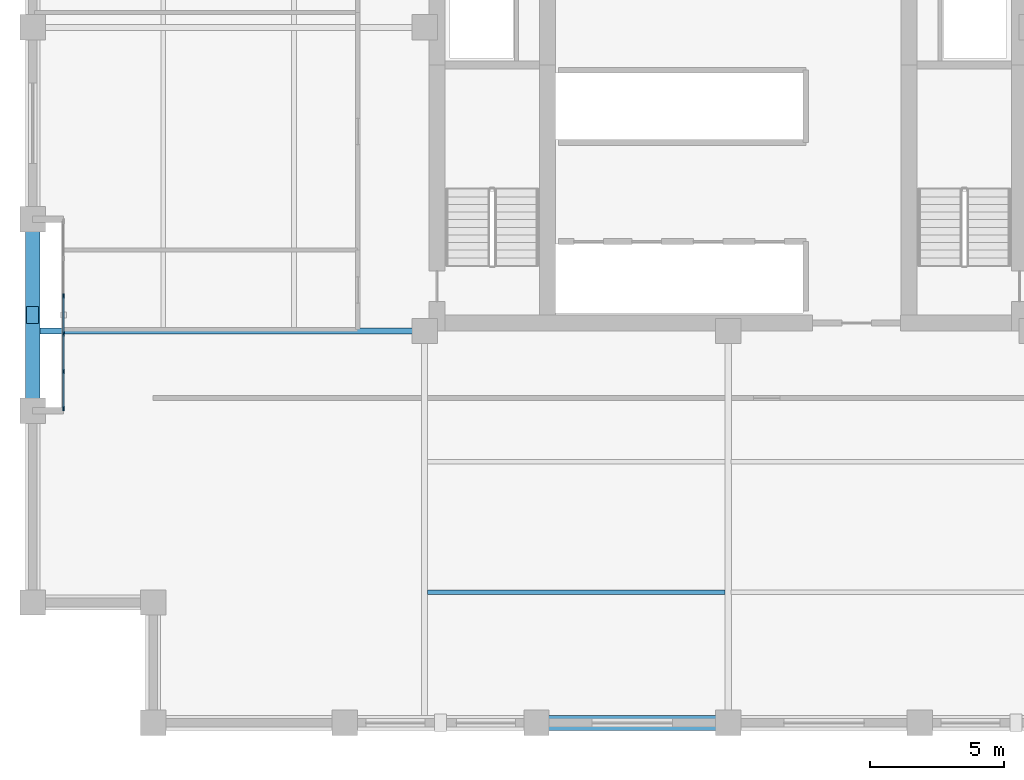
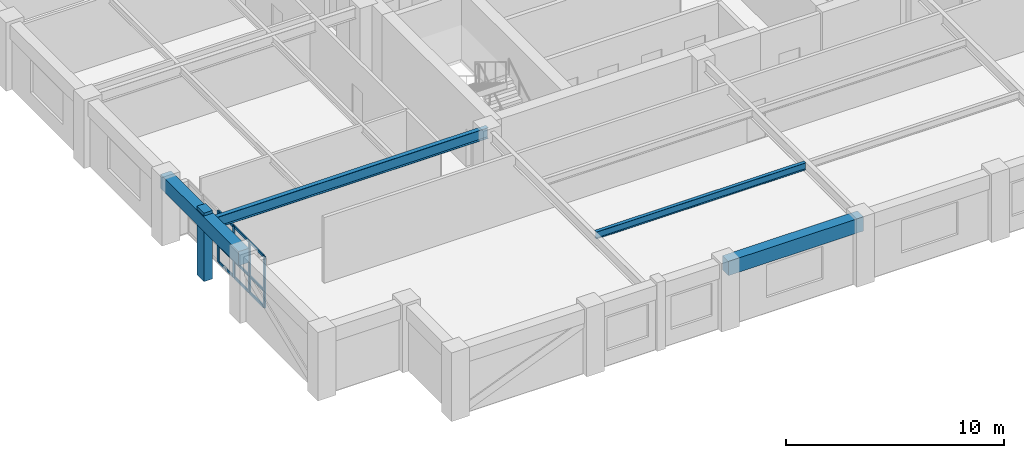
# One storey, part 2 of 11: 14 members, 4 beams, 1 element without a shape of its own.
"""IFC4 building model written with IfcOpenShell, lengths in metres."""

from ifc_helpers import new_model, si_unit, direction, frame, origin, origin_2d, place, context, subcontext, project, spatial, rectangle, i_section, extrude, material, layer, layer_set, material_profile, profile_set, type_object, element, aggregate, save


model = new_model("IFC4")

# Units and contexts
model_context = context("Model", 3, precision=1e-05, world=origin(), true_north=direction((0.0, 1.0)))
body_context = subcontext(model_context, "Body", "Model", "MODEL_VIEW")
ifc_project = project(units=[si_unit("LENGTHUNIT", "METRE"), si_unit("AREAUNIT", "SQUARE_METRE"), si_unit("VOLUMEUNIT", "CUBIC_METRE"), si_unit("PLANEANGLEUNIT", "RADIAN"), si_unit("MASSUNIT", "GRAM", prefix="KILO")], contexts=[model_context])

# Site, building, storey
site_placement = place(None, origin())
site = spatial("IfcSite", under=ifc_project, at=site_placement, CompositionType="ELEMENT")
building_placement = place(site_placement, origin())
building = spatial("IfcBuilding", under=site, at=building_placement, Name="Nhamokura Convention Tower", CompositionType="ELEMENT")
storey_placement = place(building_placement, frame((0.0, 0.0, 168.35009765625)))
storey = spatial("IfcBuildingStorey", under=building, at=storey_placement, Name="L41", CompositionType="ELEMENT", Elevation=168.35009765625)

# Member
ifc_material_1 = material(Name="Bronze-pigmented precast concrete C45/55", Category="concrete")
ifc_material_profile_1 = material_profile(ifc_material_1, rectangle(XDim=0.449951171875, YDim=0.64990234375, at=origin_2d()))
ifc_profile_set_1 = profile_set([ifc_material_profile_1], Name="Bronze-pigmented precast concrete C45/55")
member_type_1 = type_object("IfcMemberType", Name="BronzePilaster_650", PredefinedType="USERDEFINED", material=ifc_profile_set_1)
member_1_placement = place(storey_placement, frame((6.0, 21.25, 0.0), z_axis=(0.0, 0.0, 1.0), x_axis=(1.0, 0.0, 0.0)))
element("IfcMember", 1, at=member_1_placement, inside=storey, type_object=member_type_1, Name="L41 Engaged Frame Pilaster WEST 1", ObjectType="PILASTER_TRIM", PredefinedType="USERDEFINED", context=body_context, shape_type="SweptSolid", body=[
    extrude(rectangle(XDim=0.449951171875, YDim=0.64990234375, at=origin_2d()), origin(), (0.0, 0.0, 1.0), 3.849853515625),
])

# Curtain wall, members
ifc_material_2 = material(Name="Anodised bronze aluminium AA6063-T6", Category="aluminium")
ifc_layer = layer(ifc_material_2, 0.159912109375)
ifc_layer_set = layer_set([ifc_layer], Name="CWSystem_ScaleSlot_Zone2")
curtain_wall_type = type_object("IfcCurtainWallType", Name="CWSystem_ScaleSlot_Zone2", PredefinedType="NOTDEFINED", material=ifc_layer_set)
curtain_wall_placement = place(storey_placement, origin())
curtain_wall = element("IfcCurtainWall", 2, at=curtain_wall_placement, inside=storey, type_object=curtain_wall_type, Name="L41 Curtain Wall ENV-L41-SLOT-W1", PredefinedType="NOTDEFINED")
ifc_material_3 = material(Name="Anodised bronze aluminium AA6063-T6", Category="aluminium")
ifc_material_profile_2 = material_profile(ifc_material_3, rectangle(XDim=0.06494140625, YDim=0.1650390625, at=origin_2d()))
ifc_profile_set_2 = profile_set([ifc_material_profile_2], Name="Anodised bronze aluminium AA6063-T6")
member_type_2 = type_object("IfcMemberType", Name="CWMullion_3", PredefinedType="MULLION", material=ifc_profile_set_2)
member_2_placement = place(storey_placement, frame((7.14990234375, 17.75927734375, 0.0), z_axis=(0.0, 0.0, 1.0), x_axis=(-1.0, 0.0, 0.0)))
member_2 = element("IfcMember", 3, at=member_2_placement, type_object=member_type_2, Name="CW-04 mullion 1", PredefinedType="MULLION", context=body_context, shape_type="SweptSolid", body=[
    extrude(rectangle(XDim=0.06494140625, YDim=0.1650390625, at=origin_2d()), origin(), (0.0, 0.0, 1.0), 2.885009765625),
])
member_3_placement = place(storey_placement, frame((7.14990234375, 19.135986328125, 0.0), z_axis=(0.0, 0.0, 1.0), x_axis=(-1.0, 0.0, 0.0)))
member_3 = element("IfcMember", 4, at=member_3_placement, type_object=member_type_2, Name="CW-04 mullion 2", PredefinedType="MULLION", context=body_context, shape_type="SweptSolid", body=[
    extrude(rectangle(XDim=0.06494140625, YDim=0.1650390625, at=origin_2d()), origin(), (0.0, 0.0, 1.0), 2.885009765625),
])
member_4_placement = place(storey_placement, frame((7.14990234375, 20.54541015625, 0.0), z_axis=(0.0, 0.0, 1.0), x_axis=(-1.0, 0.0, 0.0)))
member_4 = element("IfcMember", 5, at=member_4_placement, type_object=member_type_2, Name="CW-04 mullion 3", PredefinedType="MULLION", context=body_context, shape_type="SweptSolid", body=[
    extrude(rectangle(XDim=0.06494140625, YDim=0.1650390625, at=origin_2d()), origin(), (0.0, 0.0, 1.0), 2.885009765625),
])
member_5_placement = place(storey_placement, frame((7.14990234375, 21.95458984375, 0.0), z_axis=(0.0, 0.0, 1.0), x_axis=(-1.0, 0.0, 0.0)))
member_5 = element("IfcMember", 6, at=member_5_placement, type_object=member_type_2, Name="CW-04 mullion 4", PredefinedType="MULLION", context=body_context, shape_type="SweptSolid", body=[
    extrude(rectangle(XDim=0.06494140625, YDim=0.1650390625, at=origin_2d()), origin(), (0.0, 0.0, 1.0), 2.885009765625),
])
ifc_material_4 = material(Name="Anodised bronze aluminium AA6063-T6", Category="aluminium")
ifc_material_profile_3 = material_profile(ifc_material_4, rectangle(XDim=0.06494140625, YDim=0.139892578125, at=origin_2d()))
ifc_profile_set_3 = profile_set([ifc_material_profile_3], Name="Anodised bronze aluminium AA6063-T6")
member_type_3 = type_object("IfcMemberType", Name="CWTransom_3", PredefinedType="USERDEFINED", material=ifc_profile_set_3)
member_6_placement = place(storey_placement, frame((7.14990234375, 17.791748046875, 0.032470703125), z_axis=(0.0, 1.0, 0.0), x_axis=(-1.0, 0.0, 0.0)))
member_6 = element("IfcMember", 7, at=member_6_placement, type_object=member_type_3, Name="CW-04 transom 1.1", ObjectType="TRANSOM", PredefinedType="USERDEFINED", context=body_context, shape_type="SweptSolid", body=[
    extrude(rectangle(XDim=0.06494140625, YDim=0.139892578125, at=origin_2d()), origin(), (0.0, 0.0, 1.0), 1.311767578125),
])
member_7_placement = place(storey_placement, frame((7.14990234375, 17.791748046875, 0.949951171875), z_axis=(0.0, 1.0, 0.0), x_axis=(-1.0, 0.0, 0.0)))
member_7 = element("IfcMember", 8, at=member_7_placement, type_object=member_type_3, Name="CW-04 transom 1.2", ObjectType="TRANSOM", PredefinedType="USERDEFINED", context=body_context, shape_type="SweptSolid", body=[
    extrude(rectangle(XDim=0.06494140625, YDim=0.139892578125, at=origin_2d()), origin(), (0.0, 0.0, 1.0), 1.311767578125),
])
member_8_placement = place(storey_placement, frame((7.14990234375, 17.791748046875, 2.852294921875), z_axis=(0.0, 1.0, 0.0), x_axis=(-1.0, 0.0, 0.0)))
member_8 = element("IfcMember", 9, at=member_8_placement, type_object=member_type_3, Name="CW-04 transom 1.3", ObjectType="TRANSOM", PredefinedType="USERDEFINED", context=body_context, shape_type="SweptSolid", body=[
    extrude(rectangle(XDim=0.06494140625, YDim=0.139892578125, at=origin_2d()), origin(), (0.0, 0.0, 1.0), 1.311767578125),
])
member_9_placement = place(storey_placement, frame((7.14990234375, 19.16845703125, 0.032470703125), z_axis=(0.0, 1.0, 0.0), x_axis=(-1.0, 0.0, 0.0)))
member_9 = element("IfcMember", 10, at=member_9_placement, type_object=member_type_3, Name="CW-04 transom 2.1", ObjectType="TRANSOM", PredefinedType="USERDEFINED", context=body_context, shape_type="SweptSolid", body=[
    extrude(rectangle(XDim=0.06494140625, YDim=0.139892578125, at=origin_2d()), origin(), (0.0, 0.0, 1.0), 1.344482421875),
])
member_10_placement = place(storey_placement, frame((7.14990234375, 19.16845703125, 0.949951171875), z_axis=(0.0, 1.0, 0.0), x_axis=(-1.0, 0.0, 0.0)))
member_10 = element("IfcMember", 11, at=member_10_placement, type_object=member_type_3, Name="CW-04 transom 2.2", ObjectType="TRANSOM", PredefinedType="USERDEFINED", context=body_context, shape_type="SweptSolid", body=[
    extrude(rectangle(XDim=0.06494140625, YDim=0.139892578125, at=origin_2d()), origin(), (0.0, 0.0, 1.0), 1.344482421875),
])
member_11_placement = place(storey_placement, frame((7.14990234375, 19.16845703125, 2.852294921875), z_axis=(0.0, 1.0, 0.0), x_axis=(-1.0, 0.0, 0.0)))
member_11 = element("IfcMember", 12, at=member_11_placement, type_object=member_type_3, Name="CW-04 transom 2.3", ObjectType="TRANSOM", PredefinedType="USERDEFINED", context=body_context, shape_type="SweptSolid", body=[
    extrude(rectangle(XDim=0.06494140625, YDim=0.139892578125, at=origin_2d()), origin(), (0.0, 0.0, 1.0), 1.344482421875),
])
member_12_placement = place(storey_placement, frame((7.14990234375, 20.577880859375, 0.032470703125), z_axis=(0.0, 1.0, 0.0), x_axis=(-1.0, 0.0, 0.0)))
member_12 = element("IfcMember", 13, at=member_12_placement, type_object=member_type_3, Name="CW-04 transom 3.1", ObjectType="TRANSOM", PredefinedType="USERDEFINED", context=body_context, shape_type="SweptSolid", body=[
    extrude(rectangle(XDim=0.06494140625, YDim=0.139892578125, at=origin_2d()), origin(), (0.0, 0.0, 1.0), 1.34423828125),
])
member_13_placement = place(storey_placement, frame((7.14990234375, 20.577880859375, 0.949951171875), z_axis=(0.0, 1.0, 0.0), x_axis=(-1.0, 0.0, 0.0)))
member_13 = element("IfcMember", 14, at=member_13_placement, type_object=member_type_3, Name="CW-04 transom 3.2", ObjectType="TRANSOM", PredefinedType="USERDEFINED", context=body_context, shape_type="SweptSolid", body=[
    extrude(rectangle(XDim=0.06494140625, YDim=0.139892578125, at=origin_2d()), origin(), (0.0, 0.0, 1.0), 1.34423828125),
])
member_14_placement = place(storey_placement, frame((7.14990234375, 20.577880859375, 2.852294921875), z_axis=(0.0, 1.0, 0.0), x_axis=(-1.0, 0.0, 0.0)))
member_14 = element("IfcMember", 15, at=member_14_placement, type_object=member_type_3, Name="CW-04 transom 3.3", ObjectType="TRANSOM", PredefinedType="USERDEFINED", context=body_context, shape_type="SweptSolid", body=[
    extrude(rectangle(XDim=0.06494140625, YDim=0.139892578125, at=origin_2d()), origin(), (0.0, 0.0, 1.0), 1.34423828125),
])
aggregate(curtain_wall, [member_2, member_3, member_4, member_5, member_6, member_7, member_8, member_9, member_10, member_11, member_12, member_13, member_14])

# Beams
ifc_material_5 = material(Name="Steel ASTM A992 Gr 50", Category="steel")
ifc_material_profile_4 = material_profile(ifc_material_5, i_section(OverallWidth=0.177001953125, OverallDepth=0.403076171875, WebThickness=0.007568359375, FlangeThickness=0.010986328125, at=origin_2d()))
ifc_profile_set_4 = profile_set([ifc_material_profile_4], Name="Steel ASTM A992 Gr 50")
beam_type_1 = type_object("IfcBeamType", Name="FloorJoist_W410X53", PredefinedType="JOIST", material=ifc_profile_set_4)
beam_1_placement = place(storey_placement, frame((20.761962890625, 10.88330078125, 3.4833984375), z_axis=(1.0, 0.0, 0.0), x_axis=(0.0, 1.0, 0.0)))
element("IfcBeam", 16, at=beam_1_placement, inside=storey, type_object=beam_type_1, Name="L41 Composite Floor Joist S1A", PredefinedType="JOIST", context=body_context, shape_type="SweptSolid", body=[
    extrude(i_section(OverallWidth=0.177001953125, OverallDepth=0.403076171875, WebThickness=0.007568359375, FlangeThickness=0.010986328125, at=origin_2d()), origin(), (0.0, 0.0, 1.0), 11.1259765625),
])
ifc_material_6 = material(Name="Steel ASTM A992 Gr 50", Category="steel")
ifc_material_profile_5 = material_profile(ifc_material_6, i_section(OverallWidth=0.22802734375, OverallDepth=0.60791015625, WebThickness=0.01123046875, FlangeThickness=0.017333984375, at=origin_2d()))
ifc_profile_set_5 = profile_set([ifc_material_profile_5], Name="Steel ASTM A992 Gr 50")
beam_type_2 = type_object("IfcBeamType", Name="PrimaryGirder_W610X113", PredefinedType="BEAM", material=ifc_profile_set_5)
beam_2_placement = place(storey_placement, frame((6.0, 20.64990234375, 3.380859375), z_axis=(1.0, 0.0, 0.0), x_axis=(0.0, 1.0, 0.0)))
element("IfcBeam", 17, at=beam_2_placement, inside=storey, type_object=beam_type_2, Name="L41 Primary Floor Girder PG-W1", PredefinedType="BEAM", context=body_context, shape_type="SweptSolid", body=[
    extrude(i_section(OverallWidth=0.22802734375, OverallDepth=0.60791015625, WebThickness=0.01123046875, FlangeThickness=0.017333984375, at=origin_2d()), origin(), (0.0, 0.0, 1.0), 14.64990234375),
])
ifc_material_7 = material(Name="Concrete C50/60", Category="concrete")
ifc_material_profile_6 = material_profile(ifc_material_7, rectangle(XDim=0.550048828125, YDim=0.800048828125, at=origin_2d()))
ifc_profile_set_6 = profile_set([ifc_material_profile_6], Name="Concrete C50/60")
beam_type_3 = type_object("IfcBeamType", Name="TubeSpandrel_800", PredefinedType="SPANDREL", material=ifc_profile_set_6)
beam_3_placement = place(storey_placement, frame((24.833251953125, 6.0, 3.284912109375), z_axis=(1.0, 0.0, 0.0), x_axis=(0.0, 1.0, 0.0)))
element("IfcBeam", 18, at=beam_3_placement, inside=storey, type_object=beam_type_3, Name="L41 Perimeter Spandrel SOUTH 3", PredefinedType="SPANDREL", context=body_context, shape_type="SweptSolid", body=[
    extrude(rectangle(XDim=0.550048828125, YDim=0.800048828125, at=origin_2d()), origin(), (0.0, 0.0, 1.0), 7.166748046875),
])
beam_4_placement = place(storey_placement, frame((6.0, 17.666748046875, 3.284912109375), z_axis=(0.0, 1.0, 0.0), x_axis=(-1.0, 0.0, 0.0)))
element("IfcBeam", 19, at=beam_4_placement, inside=storey, type_object=beam_type_3, Name="L41 Perimeter Spandrel WEST 2", PredefinedType="SPANDREL", context=body_context, shape_type="SweptSolid", body=[
    extrude(rectangle(XDim=0.550048828125, YDim=0.800048828125, at=origin_2d()), origin(), (0.0, 0.0, 1.0), 7.16650390625),
])

save(model, "model.ifc")
